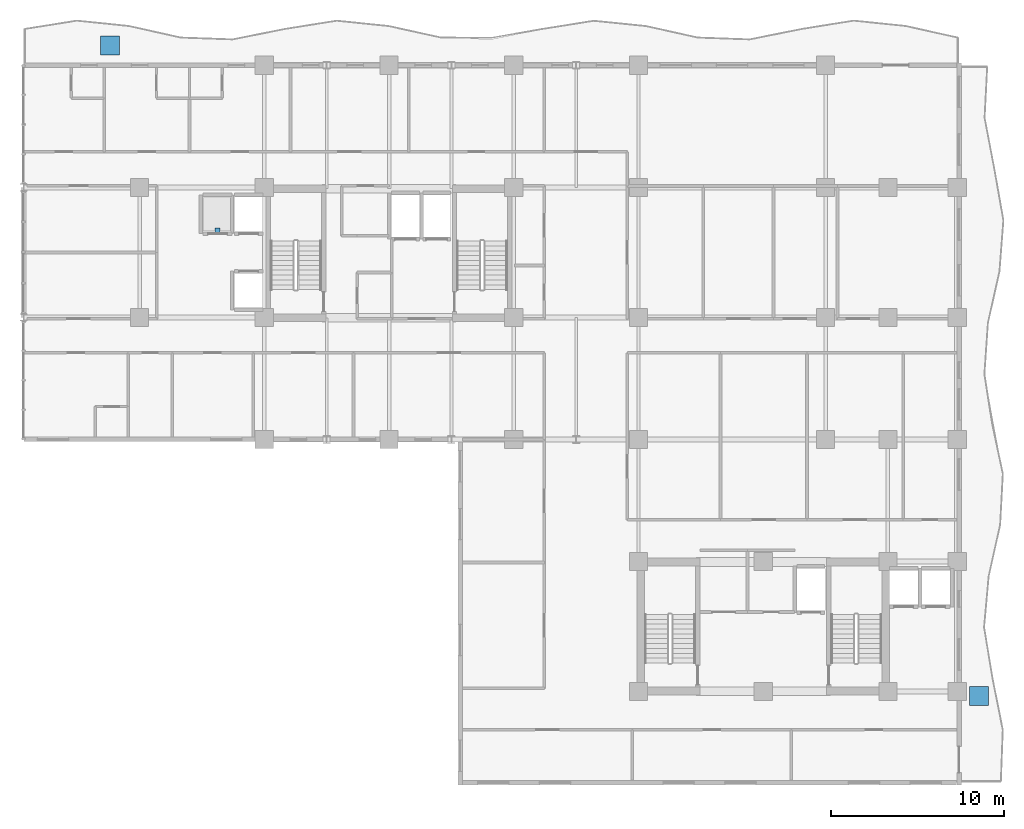
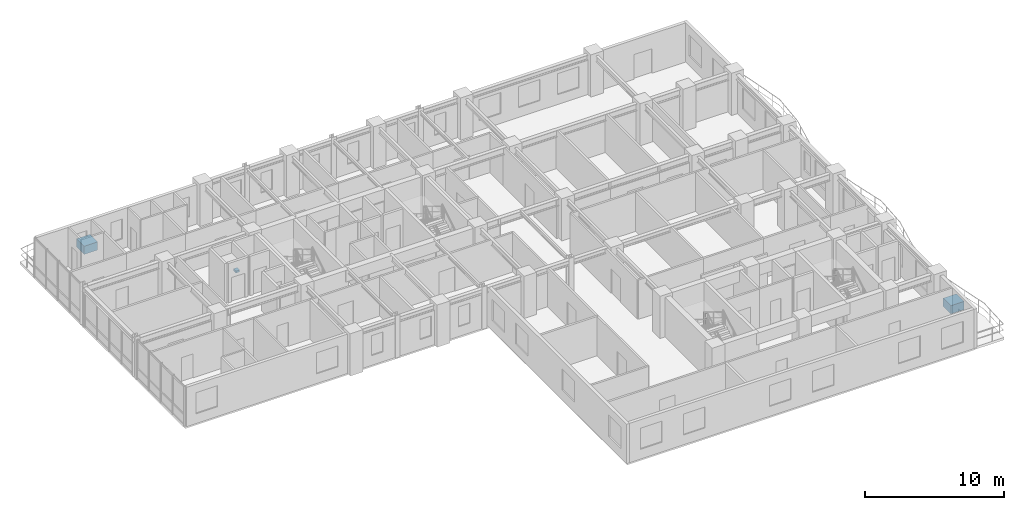
# One storey, part 16 of 20: 3 discrete accessories.
"""IFC4 building model written with IfcOpenShell, lengths in metres."""

from ifc_helpers import new_model, si_unit, direction, frame, origin, origin_2d, place, context, subcontext, project, spatial, rectangle, extrude, source, transform, mapped, material, type_object, element, save


model = new_model("IFC4")

# Units and contexts
model_context = context("Model", 3, precision=1e-05, world=origin(), true_north=direction((0.0, 1.0)))
body_context = subcontext(model_context, "Body", "Model", "MODEL_VIEW")
ifc_project = project(units=[si_unit("LENGTHUNIT", "METRE"), si_unit("AREAUNIT", "SQUARE_METRE"), si_unit("VOLUMEUNIT", "CUBIC_METRE"), si_unit("PLANEANGLEUNIT", "RADIAN"), si_unit("MASSUNIT", "GRAM", prefix="KILO")], contexts=[model_context])

# Site, building, storey
site_placement = place(None, origin())
site = spatial("IfcSite", under=ifc_project, at=site_placement, CompositionType="ELEMENT")
building_placement = place(site_placement, origin())
building = spatial("IfcBuilding", under=site, at=building_placement, Name="Kaliganga Portal Commons", CompositionType="ELEMENT")
storey_placement = place(building_placement, frame((0.0, 0.0, 155.0)))
storey = spatial("IfcBuildingStorey", under=building, at=storey_placement, Name="L39", CompositionType="ELEMENT", Elevation=155.0)

# Discrete accessories
ifc_material_1 = material(Name="Precast concrete C40/50", Category="concrete")
discrete_accessory_type_1 = type_object("IfcDiscreteAccessoryType", Name="DAC-PLANTER-RC", PredefinedType="USERDEFINED", material=ifc_material_1)
shared_shape_1 = source(origin(), body_context, "Body", "SweptSolid", [
    extrude(rectangle(XDim=1.10009765625, YDim=1.10009765625, at=origin_2d()), origin(), (0.0, 0.0, 1.0), 0.719970703125),
])
for number, where, z_axis, x_axis, name in (
    (1, (5.5, 44.35009765625, 0.0), (0.0, 0.0, 1.0), (1.0, 0.0, 0.0), "Structural Tree Planter L39 balc_north"),
    (2, (55.64990234375, 6.800048828125, 0.0), (0.0, 0.0, 1.0), (1.0, 0.0, 0.0), "Structural Tree Planter L39 balc_east"),
):
    element("IfcDiscreteAccessory", number, at=place(storey_placement, frame(where, z_axis=z_axis, x_axis=x_axis)), inside=storey, type_object=discrete_accessory_type_1, Name=name, ObjectType="PLANTER", PredefinedType="USERDEFINED", context=body_context, shape_type="MappedRepresentation", body=[
        mapped(shared_shape_1, transform((0.0, 0.0, 0.0), x_axis=(1.0, 0.0, 0.0), y_axis=(0.0, 1.0, 0.0), z_axis=(0.0, 0.0, 1.0), scale=1.0)),
    ])
ifc_material_2 = material(Name="Structural steel S355J2", Category="steel")
discrete_accessory_type_2 = type_object("IfcDiscreteAccessoryType", Name="DAC-LIFT-GUIDE", PredefinedType="BRACKET", material=ifc_material_2)
shared_shape_2 = source(origin(), body_context, "Body", "SweptSolid", [
    extrude(rectangle(XDim=0.300048828125, YDim=0.360107421875, at=origin_2d()), origin(), (0.0, 0.0, 1.0), 0.159912109375),
])
discrete_accessory_placement = place(storey_placement, frame((11.699951171875, 33.625, 2.33984375), z_axis=(0.0, 0.0, 1.0), x_axis=(1.0, 0.0, 0.0)))
element("IfcDiscreteAccessory", 3, at=discrete_accessory_placement, inside=storey, type_object=discrete_accessory_type_2, Name="Lift PL-OBS Guide-Rail Stabilizer Bracket", PredefinedType="BRACKET", context=body_context, shape_type="MappedRepresentation", body=[
    mapped(shared_shape_2, transform((0.0, 0.0, 0.0), x_axis=(1.0, 0.0, 0.0), y_axis=(0.0, 1.0, 0.0), z_axis=(0.0, 0.0, 1.0), scale=1.0)),
])

save(model, "model.ifc")
